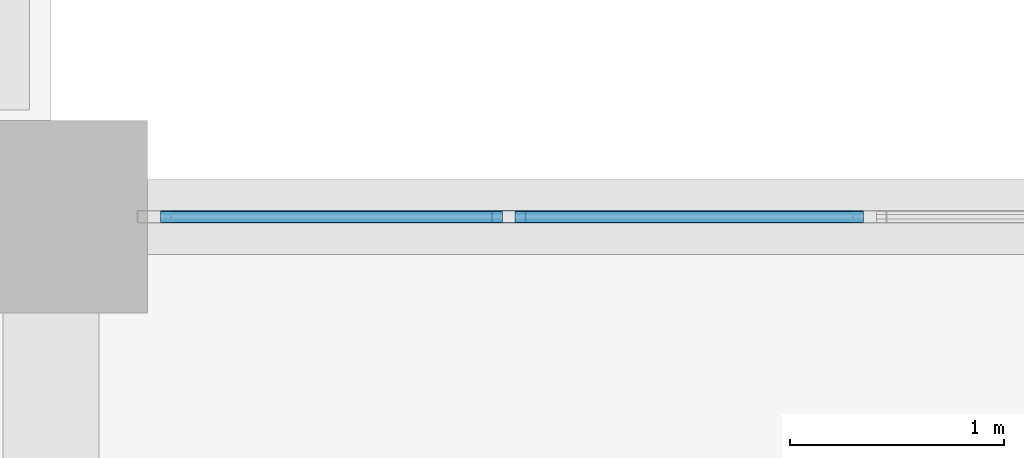
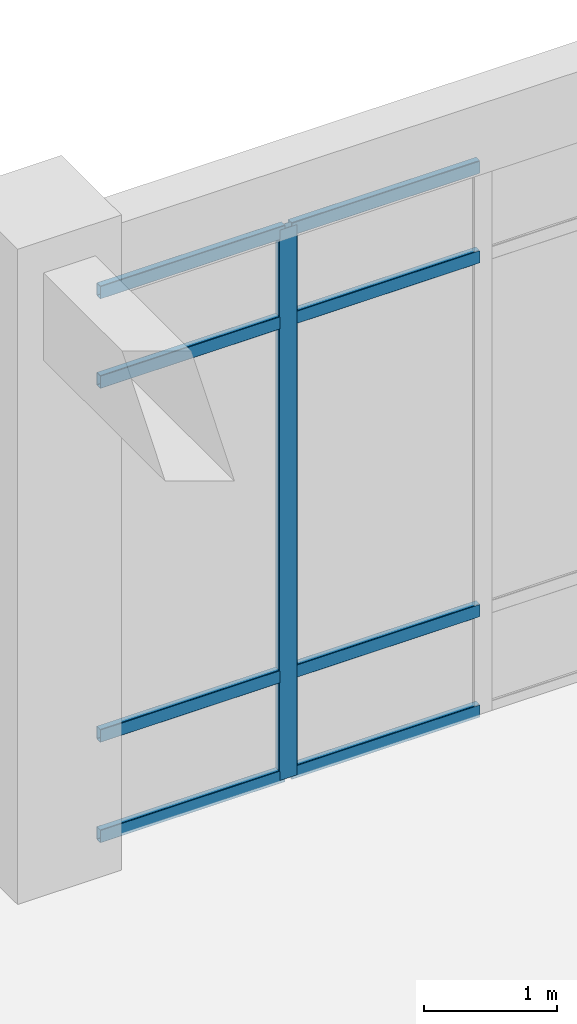
# One storey, part 37 of 82: 9 members, 1 element without a shape of its own.
"""IFC4 building model written with IfcOpenShell, lengths in metres."""

import ifcopenshell
import ifcopenshell.guid

model = None  # the IFC model being written
_history = None  # IfcOwnerHistory: only IFC2X3 demands one
_inside = {}  # id of a spatial element -> (the spatial element, [elements in it])
_under = {}  # id of a project, library or spatial element -> (it, [spatial elements below it])
_declared = {}  # id of a project -> (the project, [libraries it declares])
_typed = {}  # id of a type object -> (the type object, [elements of that type])
_made_of = {}  # id of a material, layer set ... -> (it, [elements and type objects made of it])


def new_model(schema):
    """Start an empty IFC model of exactly this schema.

    Asked for "IFC4X3", IfcOpenShell would pick the latest addendum, in which some entities
    have other attributes; the version numbers below select the first issue.
    IFC2X3 requires an IfcOwnerHistory on every rooted entity: one is made here for all.
    """
    global model, _history
    if schema == "IFC4X3":
        model = ifcopenshell.file(schema_version=(4, 3, 0, 0))
    else:
        model = ifcopenshell.file(schema=schema)
    _inside.clear()
    _under.clear()
    _declared.clear()
    _typed.clear()
    _made_of.clear()
    _history = None
    if model.schema == "IFC2X3":
        org = make("IfcOrganization", Name="unknown")
        user = make(
            "IfcPersonAndOrganization",
            ThePerson=make("IfcPerson", FamilyName="unknown"),
            TheOrganization=org,
        )
        app = make(
            "IfcApplication",
            ApplicationDeveloper=org,
            Version="unknown",
            ApplicationFullName="unknown",
            ApplicationIdentifier="unknown",
        )
        _history = make(
            "IfcOwnerHistory",
            OwningUser=user,
            OwningApplication=app,
            ChangeAction="ADDED",
            CreationDate=0,
        )
    return model


def make(cls, **values):
    """One entity of the class cls with the attributes given. An attribute that is None is left unset."""
    return model.create_entity(
        cls, **{name: value for name, value in values.items() if value is not None}
    )


def rooted(cls, **values):
    """An entity with a GlobalId (a new one), such as an element, a storey or a relation."""
    return make(cls, GlobalId=ifcopenshell.guid.new(), OwnerHistory=_history, **values)


def si_unit(unit_type, name, prefix=None):
    """IfcSIUnit, for example si_unit("LENGTHUNIT", "METRE", prefix="MILLI")."""
    return make("IfcSIUnit", UnitType=unit_type, Prefix=prefix, Name=name)


def derived_unit(unit_type, elements):
    """IfcDerivedUnit: a product of units, each with its exponent."""
    return make(
        "IfcDerivedUnit",
        Elements=[
            make("IfcDerivedUnitElement", Unit=unit, Exponent=power)
            for unit, power in elements
        ],
        UnitType=unit_type,
    )


def assignment(units):
    """IfcUnitAssignment: the units of a project."""
    return None if units is None else make("IfcUnitAssignment", Units=units)


def point(xyz):
    """IfcCartesianPoint."""
    return None if xyz is None else make("IfcCartesianPoint", Coordinates=xyz)


def direction(xyz):
    """IfcDirection."""
    return None if xyz is None else make("IfcDirection", DirectionRatios=xyz)


def frame(location, z_axis=None, x_axis=None):
    """IfcAxis2Placement3D, a coordinate frame: its origin and axes. An axis left out is left unset."""
    return make(
        "IfcAxis2Placement3D",
        Location=point(location),
        Axis=direction(z_axis),
        RefDirection=direction(x_axis),
    )


def frame_2d(location, x_axis=None):
    """IfcAxis2Placement2D, a coordinate frame in the plane: its origin and x axis."""
    return make(
        "IfcAxis2Placement2D", Location=point(location), RefDirection=direction(x_axis)
    )


def origin():
    """The frame at (0, 0, 0) with its axes left unset."""
    return frame((0.0, 0.0, 0.0))


def origin_2d():
    """The frame at (0, 0) in the plane with its x axis left unset."""
    return frame_2d((0.0, 0.0))


def place(relative_to, where):
    """IfcLocalPlacement: puts the frame where relative to a parent placement (None: the world)."""
    return make(
        "IfcLocalPlacement", PlacementRelTo=relative_to, RelativePlacement=where
    )


def context(
    kind, dimensions, precision=None, world=None, true_north=None, identifier=None
):
    """IfcGeometricRepresentationContext, for example the 3D "Model" context."""
    return make(
        "IfcGeometricRepresentationContext",
        ContextIdentifier=identifier,
        ContextType=kind,
        CoordinateSpaceDimension=dimensions,
        Precision=precision,
        WorldCoordinateSystem=world,
        TrueNorth=true_north,
    )


def subcontext(parent, identifier, kind, view, scale=None):
    """IfcGeometricRepresentationSubContext, for example "Body" below "Model"."""
    return make(
        "IfcGeometricRepresentationSubContext",
        ContextIdentifier=identifier,
        ContextType=kind,
        ParentContext=parent,
        TargetScale=scale,
        TargetView=view,
    )


def project(units=None, contexts=None):
    """IfcProject with its units and contexts."""
    return rooted(
        "IfcProject",
        Name="project",
        RepresentationContexts=contexts,
        UnitsInContext=assignment(units),
    )


def spatial(cls, under=None, at=None, **own):
    """A site, building, storey or space (cls), placed at a placement, below another one or the project."""
    s = rooted(cls, ObjectPlacement=at, **own)
    if under is not None:
        _under.setdefault(under.id(), (under, []))[1].append(s)
    return s


def profile(cls, at=None, kind="AREA", **sizes):
    """A parametric profile (cls). Its sizes go by their IFC names, for example OverallWidth=200.0."""
    return make(cls, ProfileType=kind, Position=at, **sizes)


def hollow_rectangle(**sizes):
    """IfcRectangleHollowProfileDef."""
    return profile("IfcRectangleHollowProfileDef", **sizes)


def extrude(swept, where, along, depth):
    """IfcExtrudedAreaSolid: the profile swept, set in the frame where, extruded along a direction by depth."""
    return make(
        "IfcExtrudedAreaSolid",
        SweptArea=swept,
        Position=where,
        ExtrudedDirection=direction(along),
        Depth=depth,
    )


def shape(context_of_items, identifier, shape_type, items):
    """IfcShapeRepresentation: the items that make up one representation, for example the "Body"."""
    return make(
        "IfcShapeRepresentation",
        ContextOfItems=context_of_items,
        RepresentationIdentifier=identifier,
        RepresentationType=shape_type,
        Items=items,
    )


def material(Name=None, Category=None):
    """IfcMaterial."""
    return make("IfcMaterial", Name=Name, Category=Category)


def layer(
    of_material, thickness, ventilated=None, Name=None, Category=None, Priority=None
):
    """IfcMaterialLayer: one layer of a wall or slab, of a material (None: an air gap)."""
    return make(
        "IfcMaterialLayer",
        Material=of_material,
        LayerThickness=thickness,
        IsVentilated=ventilated,
        Name=Name,
        Category=Category,
        Priority=Priority,
    )


def layer_set(layers, Name=None):
    """IfcMaterialLayerSet."""
    return make("IfcMaterialLayerSet", MaterialLayers=layers, LayerSetName=Name)


def material_profile(
    of_material, cross_section, Name=None, Category=None, Priority=None
):
    """IfcMaterialProfile: a cross section and its material."""
    return make(
        "IfcMaterialProfile",
        Name=Name,
        Material=of_material,
        Profile=cross_section,
        Priority=Priority,
        Category=Category,
    )


def profile_set(profiles, Name=None, composite=None):
    """IfcMaterialProfileSet."""
    return make(
        "IfcMaterialProfileSet",
        Name=Name,
        MaterialProfiles=profiles,
        CompositeProfile=composite,
    )


def made_of(thing, what):
    """Note that an element or type object is made of a material, layer set ...; save() writes the relation."""
    if what is not None:
        _made_of.setdefault(what.id(), (what, []))[1].append(thing)
    return thing


def type_object(cls, material=None, **own):
    """A type object (cls), such as IfcWallType, which elements share."""
    return made_of(rooted(cls, **own), material)


def element(
    cls,
    number,
    at=None,
    inside=None,
    cuts=None,
    type_object=None,
    material=None,
    context=None,
    identifier="Body",
    shape_type=None,
    held_by="IfcProductDefinitionShape",
    body=None,
    shapes=None,
    **own,
):
    """One element of the class cls, such as IfcWall. Its Tag is "e" and its number.

    at: its placement. inside: the storey or other place that contains it. cuts: it is an
    opening in that element (IfcRelVoidsElement). A single representation is given by context,
    identifier, shape_type and body (its items); several are given by shapes. held_by: the class
    of the entity that holds the representations. save() writes the other relations.
    """
    e = rooted(cls, Tag="e%d" % number, ObjectPlacement=at, **own)
    if body is not None:
        shapes = [shape(context, identifier, shape_type, body)]
    if shapes is not None:
        e.Representation = make(held_by, Representations=shapes)
    if inside is not None:
        _inside.setdefault(inside.id(), (inside, []))[1].append(e)
    if cuts is not None:
        rooted(
            "IfcRelVoidsElement", RelatingBuildingElement=cuts, RelatedOpeningElement=e
        )
    if type_object is not None:
        _typed.setdefault(type_object.id(), (type_object, []))[1].append(e)
    return made_of(e, material)


def aggregate(whole, parts):
    """IfcRelAggregates: a whole, such as a stair, and the parts it consists of."""
    return rooted("IfcRelAggregates", RelatingObject=whole, RelatedObjects=parts)


def save(model, path):
    """Write the relations noted so far, then the file.

    IfcRelAggregates (storeys below a building ...), IfcRelContainedInSpatialStructure (elements
    in a storey), IfcRelDefinesByType, IfcRelAssociatesMaterial and IfcRelDeclares: one each for
    every whole, place, type object, material and project.
    """
    for whole, parts in _under.values():
        aggregate(whole, parts)
    for where, things in _inside.values():
        rooted(
            "IfcRelContainedInSpatialStructure",
            RelatedElements=things,
            RelatingStructure=where,
        )
    for kind, things in _typed.values():
        rooted("IfcRelDefinesByType", RelatedObjects=things, RelatingType=kind)
    for what, things in _made_of.values():
        rooted("IfcRelAssociatesMaterial", RelatedObjects=things, RelatingMaterial=what)
    for by, libraries in _declared.values():
        rooted("IfcRelDeclares", RelatingContext=by, RelatedDefinitions=libraries)
    model.write(path)


model = new_model("IFC4")

# Units and contexts
model_context = context("Model", 3, precision=1e-05, world=origin(), true_north=direction((0.0, 1.0)))
body_context = subcontext(model_context, "Body", "Model", "MODEL_VIEW")
ifc_project = project(units=[si_unit("LENGTHUNIT", "METRE"), si_unit("AREAUNIT", "SQUARE_METRE"), si_unit("VOLUMEUNIT", "CUBIC_METRE"), si_unit("PLANEANGLEUNIT", "RADIAN"), si_unit("MASSUNIT", "GRAM", prefix="KILO"), derived_unit("THERMALTRANSMITTANCEUNIT", [(si_unit("MASSUNIT", "GRAM", prefix="KILO"), 1), (si_unit("TIMEUNIT", "SECOND"), -3), (si_unit("THERMODYNAMICTEMPERATUREUNIT", "KELVIN"), -1)])], contexts=[model_context])

# Site, building, storey
site_placement = place(None, origin())
site = spatial("IfcSite", under=ifc_project, at=site_placement, CompositionType="ELEMENT")
building_placement = place(site_placement, origin())
building = spatial("IfcBuilding", under=site, at=building_placement, Name="Qinzheling Arcade Emporium", CompositionType="ELEMENT")
storey_placement = place(building_placement, origin())
storey = spatial("IfcBuildingStorey", under=building, at=storey_placement, Name="L01", CompositionType="ELEMENT", Elevation=0.0)

# Curtain wall, members
ifc_material_1 = material(Name="Anodised aluminium and solar-control double glazing", Category="aluminium")
ifc_layer = layer(ifc_material_1, 0.159912109375, Name="Anodised aluminium and solar-control double glazing", Category="aluminium")
ifc_layer_set = layer_set([ifc_layer], Name="Anodised aluminium and solar-control double glazing")
curtain_wall_type = type_object("IfcCurtainWallType", Name="Food Hall Loggia Curtain Wall", PredefinedType="NOTDEFINED", material=ifc_layer_set)
curtain_wall_placement = place(storey_placement, origin())
curtain_wall = element("IfcCurtainWall", 1, at=curtain_wall_placement, inside=storey, type_object=curtain_wall_type, Name="Curtain Wall CW-L01-048", PredefinedType="NOTDEFINED")
ifc_material_2 = material(Name="Anodised aluminium 6063-T6", Category="aluminium")
ifc_material_profile_1 = material_profile(ifc_material_2, hollow_rectangle(XDim=0.06005859375, YDim=0.159912109375, WallThickness=0.00390625, InnerFilletRadius=0.00390625, OuterFilletRadius=0.008056640625, at=origin_2d()), Name="RHS 160x60x4", Category="aluminium")
ifc_profile_set_1 = profile_set([ifc_material_profile_1], Name="Anodised aluminium 6063-T6")
member_type_1 = type_object("IfcMemberType", Name="Curtain Wall Mullion RHS160x60", PredefinedType="MULLION", material=ifc_profile_set_1)
member_1_placement = place(storey_placement, frame((158.739013671875, 33.60009765625, 0.0), z_axis=(0.0, 0.0, 1.0), x_axis=(0.0, 1.0, 0.0)))
member_1 = element("IfcMember", 2, at=member_1_placement, type_object=member_type_1, Name="CW04 mullion 2", PredefinedType="MULLION", context=body_context, shape_type="SweptSolid", body=[
    extrude(hollow_rectangle(XDim=0.06005859375, YDim=0.159912109375, WallThickness=0.00390625, InnerFilletRadius=0.00390625, OuterFilletRadius=0.008056640625, at=origin_2d()), origin(), (0.0, 0.0, 1.0), 5.0400390625),
])
ifc_material_profile_2 = material_profile(ifc_material_2, hollow_rectangle(XDim=0.06005859375, YDim=0.1201171875, WallThickness=0.00390625, InnerFilletRadius=0.00390625, OuterFilletRadius=0.008056640625, at=origin_2d()), Name="RHS 120x60x4", Category="aluminium")
ifc_profile_set_2 = profile_set([ifc_material_profile_2], Name="Anodised aluminium 6063-T6")
member_type_2 = type_object("IfcMemberType", Name="Curtain Wall Transom RHS120x60", PredefinedType="USERDEFINED", material=ifc_profile_set_2)
member_2_placement = place(storey_placement, frame((157.112060546875, 33.60009765625, 0.030029296875), z_axis=(1.0, 0.0, 0.0), x_axis=(0.0, 1.0, 0.0)))
member_2 = element("IfcMember", 3, at=member_2_placement, type_object=member_type_2, Name="CW04 transom 1.1", ObjectType="TRANSOM", PredefinedType="USERDEFINED", context=body_context, shape_type="SweptSolid", body=[
    extrude(hollow_rectangle(XDim=0.06005859375, YDim=0.1201171875, WallThickness=0.00390625, InnerFilletRadius=0.00390625, OuterFilletRadius=0.008056640625, at=origin_2d()), origin(), (0.0, 0.0, 1.0), 1.596923828125),
])
member_3_placement = place(storey_placement, frame((157.112060546875, 33.60009765625, 0.949951171875), z_axis=(1.0, 0.0, 0.0), x_axis=(0.0, 1.0, 0.0)))
member_3 = element("IfcMember", 4, at=member_3_placement, type_object=member_type_2, Name="CW04 transom 1.2", ObjectType="TRANSOM", PredefinedType="USERDEFINED", context=body_context, shape_type="SweptSolid", body=[
    extrude(hollow_rectangle(XDim=0.06005859375, YDim=0.1201171875, WallThickness=0.00390625, InnerFilletRadius=0.00390625, OuterFilletRadius=0.008056640625, at=origin_2d()), origin(), (0.0, 0.0, 1.0), 1.596923828125),
])
member_4_placement = place(storey_placement, frame((157.112060546875, 33.60009765625, 4.18994140625), z_axis=(1.0, 0.0, 0.0), x_axis=(0.0, 1.0, 0.0)))
member_4 = element("IfcMember", 5, at=member_4_placement, type_object=member_type_2, Name="CW04 transom 1.3", ObjectType="TRANSOM", PredefinedType="USERDEFINED", context=body_context, shape_type="SweptSolid", body=[
    extrude(hollow_rectangle(XDim=0.06005859375, YDim=0.1201171875, WallThickness=0.00390625, InnerFilletRadius=0.00390625, OuterFilletRadius=0.008056640625, at=origin_2d()), origin(), (0.0, 0.0, 1.0), 1.596923828125),
])
member_5_placement = place(storey_placement, frame((157.112060546875, 33.60009765625, 5.010009765625), z_axis=(1.0, 0.0, 0.0), x_axis=(0.0, 1.0, 0.0)))
member_5 = element("IfcMember", 6, at=member_5_placement, type_object=member_type_2, Name="CW04 transom 1.4", ObjectType="TRANSOM", PredefinedType="USERDEFINED", context=body_context, shape_type="SweptSolid", body=[
    extrude(hollow_rectangle(XDim=0.06005859375, YDim=0.1201171875, WallThickness=0.00390625, InnerFilletRadius=0.00390625, OuterFilletRadius=0.008056640625, at=origin_2d()), origin(), (0.0, 0.0, 1.0), 1.596923828125),
])
member_6_placement = place(storey_placement, frame((158.76904296875, 33.60009765625, 0.030029296875), z_axis=(1.0, 0.0, 0.0), x_axis=(0.0, 1.0, 0.0)))
member_6 = element("IfcMember", 7, at=member_6_placement, type_object=member_type_2, Name="CW04 transom 2.1", ObjectType="TRANSOM", PredefinedType="USERDEFINED", context=body_context, shape_type="SweptSolid", body=[
    extrude(hollow_rectangle(XDim=0.06005859375, YDim=0.1201171875, WallThickness=0.00390625, InnerFilletRadius=0.00390625, OuterFilletRadius=0.008056640625, at=origin_2d()), origin(), (0.0, 0.0, 1.0), 1.626953125),
])
member_7_placement = place(storey_placement, frame((158.76904296875, 33.60009765625, 0.949951171875), z_axis=(1.0, 0.0, 0.0), x_axis=(0.0, 1.0, 0.0)))
member_7 = element("IfcMember", 8, at=member_7_placement, type_object=member_type_2, Name="CW04 transom 2.2", ObjectType="TRANSOM", PredefinedType="USERDEFINED", context=body_context, shape_type="SweptSolid", body=[
    extrude(hollow_rectangle(XDim=0.06005859375, YDim=0.1201171875, WallThickness=0.00390625, InnerFilletRadius=0.00390625, OuterFilletRadius=0.008056640625, at=origin_2d()), origin(), (0.0, 0.0, 1.0), 1.626953125),
])
member_8_placement = place(storey_placement, frame((158.76904296875, 33.60009765625, 4.18994140625), z_axis=(1.0, 0.0, 0.0), x_axis=(0.0, 1.0, 0.0)))
member_8 = element("IfcMember", 9, at=member_8_placement, type_object=member_type_2, Name="CW04 transom 2.3", ObjectType="TRANSOM", PredefinedType="USERDEFINED", context=body_context, shape_type="SweptSolid", body=[
    extrude(hollow_rectangle(XDim=0.06005859375, YDim=0.1201171875, WallThickness=0.00390625, InnerFilletRadius=0.00390625, OuterFilletRadius=0.008056640625, at=origin_2d()), origin(), (0.0, 0.0, 1.0), 1.626953125),
])
member_9_placement = place(storey_placement, frame((158.76904296875, 33.60009765625, 5.010009765625), z_axis=(1.0, 0.0, 0.0), x_axis=(0.0, 1.0, 0.0)))
member_9 = element("IfcMember", 10, at=member_9_placement, type_object=member_type_2, Name="CW04 transom 2.4", ObjectType="TRANSOM", PredefinedType="USERDEFINED", context=body_context, shape_type="SweptSolid", body=[
    extrude(hollow_rectangle(XDim=0.06005859375, YDim=0.1201171875, WallThickness=0.00390625, InnerFilletRadius=0.00390625, OuterFilletRadius=0.008056640625, at=origin_2d()), origin(), (0.0, 0.0, 1.0), 1.626953125),
])
aggregate(curtain_wall, [member_1, member_2, member_3, member_4, member_5, member_6, member_7, member_8, member_9])

save(model, "model.ifc")
